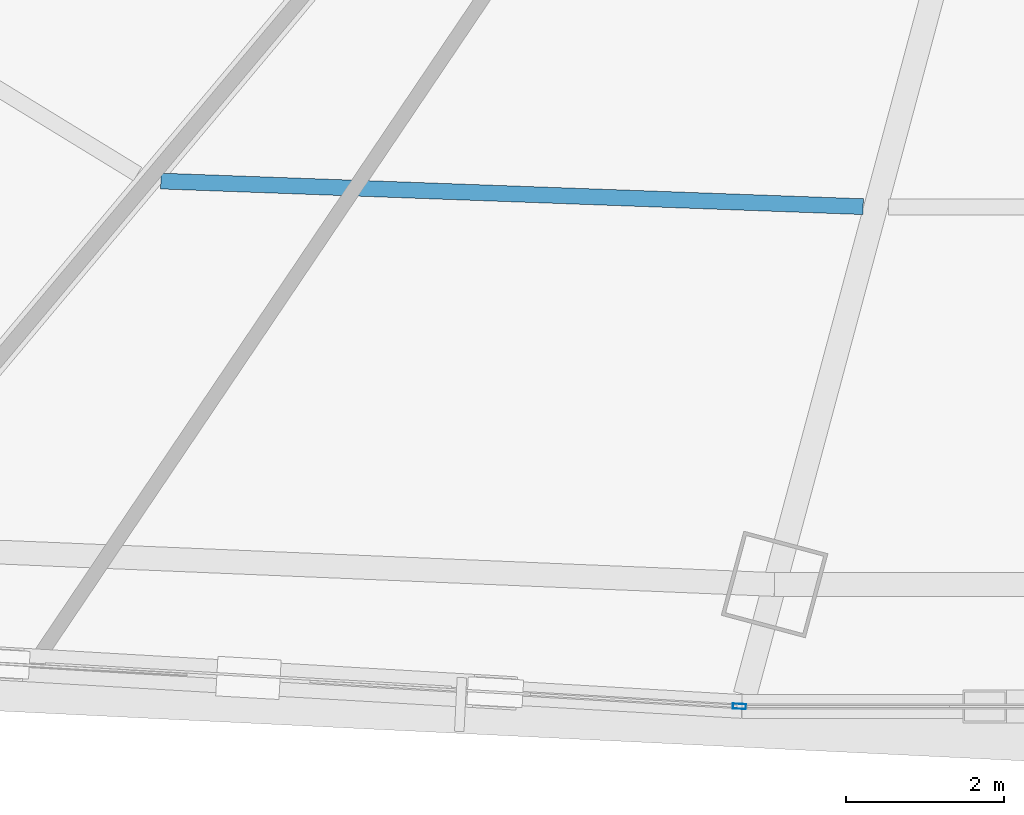
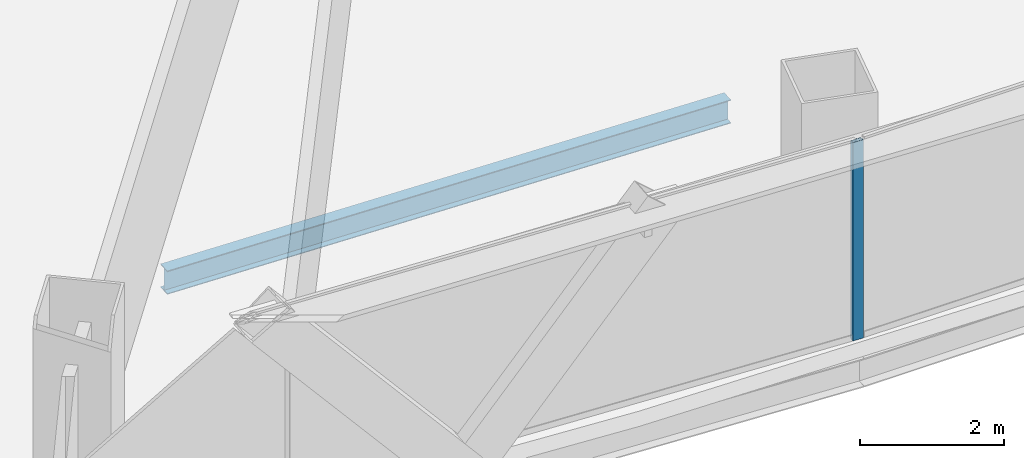
# One storey, part 8 of 42: 1 beam, 1 member, 1 element without a shape of its own.
"""IFC4 building model written with IfcOpenShell, lengths in metres."""

from ifc_helpers import new_model, si_unit, direction, frame, origin, origin_2d, place, context, subcontext, project, spatial, hollow_rectangle, i_section, extrude, source, transform, mapped, material, layer, layer_set, material_profile, profile_set, type_object, element, aggregate, save


model = new_model("IFC4")

# Units and contexts
model_context = context("Model", 3, precision=1e-05, world=origin(), true_north=direction((0.0, 1.0)))
body_context = subcontext(model_context, "Body", "Model", "MODEL_VIEW")
ifc_project = project(units=[si_unit("LENGTHUNIT", "METRE"), si_unit("AREAUNIT", "SQUARE_METRE"), si_unit("VOLUMEUNIT", "CUBIC_METRE"), si_unit("PLANEANGLEUNIT", "RADIAN"), si_unit("MASSUNIT", "GRAM", prefix="KILO"), si_unit("THERMODYNAMICTEMPERATUREUNIT", "KELVIN"), si_unit("POWERUNIT", "WATT")], contexts=[model_context])

# Site, building, storey
site_placement = place(None, origin())
site = spatial("IfcSite", under=ifc_project, at=site_placement, CompositionType="ELEMENT")
building_placement = place(site_placement, origin())
building = spatial("IfcBuilding", under=site, at=building_placement, Name="Yunzhuo Pagoda Commons", CompositionType="ELEMENT")
storey_placement = place(building_placement, frame((0.0, 0.0, 41.2900390625)))
storey = spatial("IfcBuildingStorey", under=building, at=storey_placement, Name="L10", CompositionType="ELEMENT", Elevation=41.2900390625)

# Beam
ifc_material_1 = material(Name="Structural steel Q355B", Category="steel")
ifc_material_profile_1 = material_profile(ifc_material_1, i_section(OverallWidth=0.199951171875, OverallDepth=0.39990234375, WebThickness=0.008056640625, FlangeThickness=0.012939453125, at=origin_2d()), Name="Structural steel Q355B")
ifc_profile_set_1 = profile_set([ifc_material_profile_1], Name="Structural steel Q355B")
beam_type = type_object("IfcBeamType", Name="B-JS1 Joist HN 400x200x8x13", PredefinedType="JOIST", material=ifc_profile_set_1)
shared_shape_1 = source(origin(), body_context, "Body", "SweptSolid", [
    extrude(i_section(OverallWidth=0.199951171875, OverallDepth=0.39990234375, WebThickness=0.008056640625, FlangeThickness=0.012939453125, at=origin_2d()), origin(), (0.0, 0.0, 1.0), 8.876953125),
])
beam_placement = place(storey_placement, frame((34.527099609375, 17.448486328125, -0.4599609375), z_axis=(0.999335806416, -0.036440993601, 0.0), x_axis=(0.036440993601, 0.999335806416, 0.0)))
element("IfcBeam", 1, at=beam_placement, inside=storey, type_object=beam_type, Name="L10 composite ring joist 2.1", PredefinedType="JOIST", context=body_context, shape_type="MappedRepresentation", body=[
    mapped(shared_shape_1, transform((0.0, 0.0, 0.0), scale=1.0)),
])

# Curtain wall, member
ifc_material_2 = material(Name="Anodized aluminium 6063-T6", Category="aluminium")
ifc_layer = layer(ifc_material_2, 0.1650390625)
ifc_layer_set = layer_set([ifc_layer], Name="Anodized aluminium 6063-T6")
curtain_wall_type = type_object("IfcCurtainWallType", Name="CW-LOW Low-Zone Ribbon Curtain Wall", PredefinedType="NOTDEFINED", material=ifc_layer_set)
curtain_wall_placement = place(storey_placement, origin())
curtain_wall = element("IfcCurtainWall", 2, at=curtain_wall_placement, inside=storey, type_object=curtain_wall_type, Name="L10 curtain wall CW-L10-F1B2", PredefinedType="NOTDEFINED")
ifc_material_profile_2 = material_profile(ifc_material_2, hollow_rectangle(XDim=0.06494140625, YDim=0.1650390625, WallThickness=0.00390625, at=origin_2d()), Name="Anodized aluminium 6063-T6")
ifc_profile_set_2 = profile_set([ifc_material_profile_2], Name="Anodized aluminium 6063-T6")
member_type = type_object("IfcMemberType", Name="CW-LOW-M Mullion RHS 165x65x4", PredefinedType="MULLION", material=ifc_profile_set_2)
shared_shape_2 = source(origin(), body_context, "Body", "SweptSolid", [
    extrude(hollow_rectangle(XDim=0.06494140625, YDim=0.1650390625, WallThickness=0.00390625, at=origin_2d()), origin(), (0.0, 0.0, 1.0), 3.369873046875),
])
member_placement = place(storey_placement, frame((41.83447265625, 10.813232421875, 0.0), z_axis=(0.0, 0.0, 1.0), x_axis=(0.057790687505, 0.998328721633, 0.0)))
member = element("IfcMember", 3, at=member_placement, type_object=member_type, Name="CW mullion 2", PredefinedType="MULLION", context=body_context, shape_type="MappedRepresentation", body=[
    mapped(shared_shape_2, transform((0.0, 0.0, 0.0), scale=1.0)),
])
aggregate(curtain_wall, [member])

save(model, "model.ifc")
